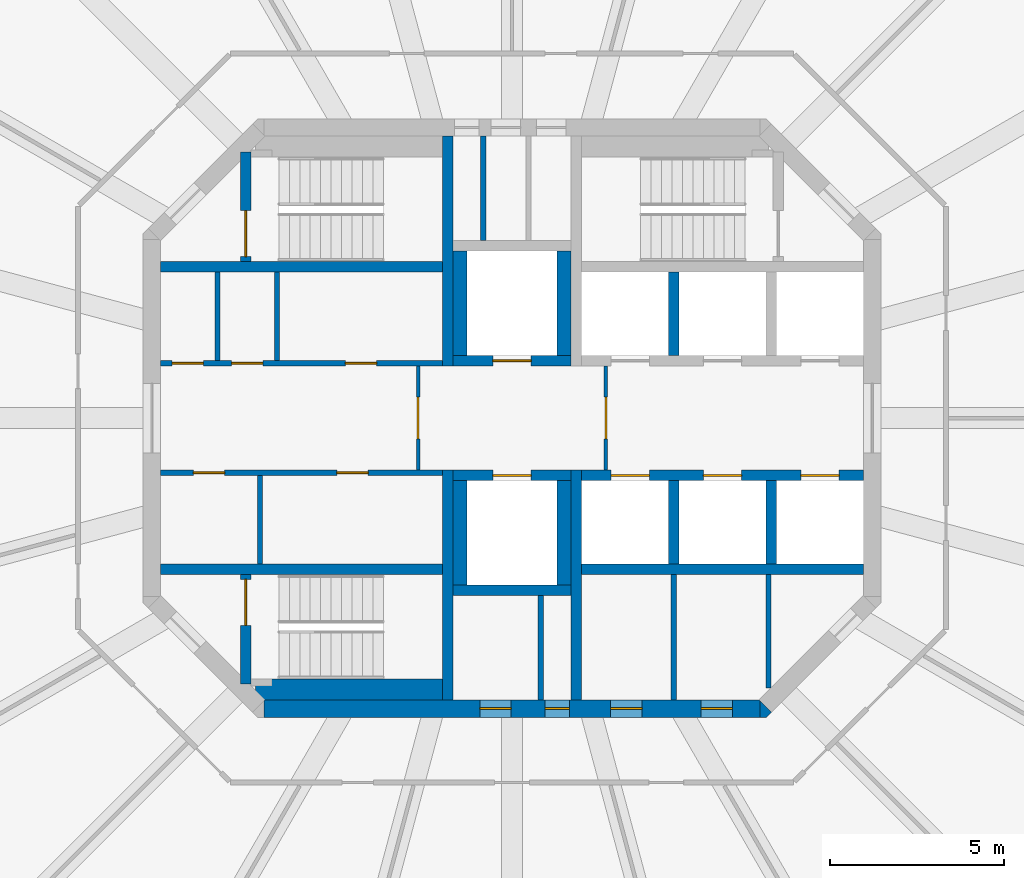
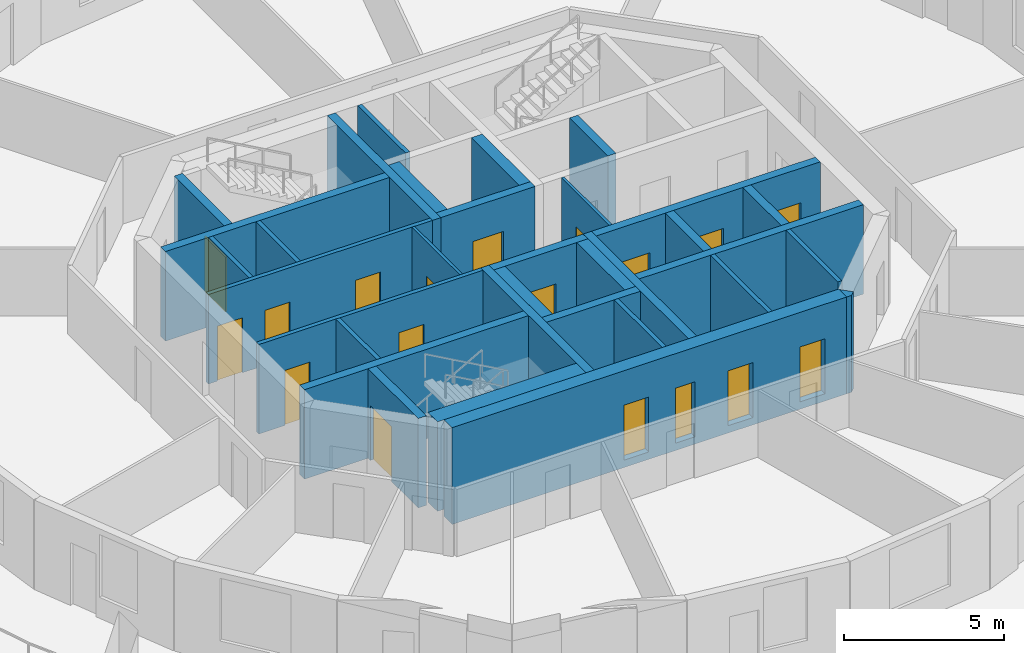
# One storey, part 3 of 8: 33 walls, 18 doors, 18 openings.
"""IFC4 building model written with IfcOpenShell, lengths in metres."""

import ifcopenshell
import ifcopenshell.guid

model = None  # the IFC model being written
_history = None  # IfcOwnerHistory: only IFC2X3 demands one
_inside = {}  # id of a spatial element -> (the spatial element, [elements in it])
_under = {}  # id of a project, library or spatial element -> (it, [spatial elements below it])
_declared = {}  # id of a project -> (the project, [libraries it declares])
_typed = {}  # id of a type object -> (the type object, [elements of that type])
_made_of = {}  # id of a material, layer set ... -> (it, [elements and type objects made of it])


def new_model(schema):
    """Start an empty IFC model of exactly this schema.

    Asked for "IFC4X3", IfcOpenShell would pick the latest addendum, in which some entities
    have other attributes; the version numbers below select the first issue.
    IFC2X3 requires an IfcOwnerHistory on every rooted entity: one is made here for all.
    """
    global model, _history
    if schema == "IFC4X3":
        model = ifcopenshell.file(schema_version=(4, 3, 0, 0))
    else:
        model = ifcopenshell.file(schema=schema)
    _inside.clear()
    _under.clear()
    _declared.clear()
    _typed.clear()
    _made_of.clear()
    _history = None
    if model.schema == "IFC2X3":
        org = make("IfcOrganization", Name="unknown")
        user = make(
            "IfcPersonAndOrganization",
            ThePerson=make("IfcPerson", FamilyName="unknown"),
            TheOrganization=org,
        )
        app = make(
            "IfcApplication",
            ApplicationDeveloper=org,
            Version="unknown",
            ApplicationFullName="unknown",
            ApplicationIdentifier="unknown",
        )
        _history = make(
            "IfcOwnerHistory",
            OwningUser=user,
            OwningApplication=app,
            ChangeAction="ADDED",
            CreationDate=0,
        )
    return model


def make(cls, **values):
    """One entity of the class cls with the attributes given. An attribute that is None is left unset."""
    return model.create_entity(
        cls, **{name: value for name, value in values.items() if value is not None}
    )


def rooted(cls, **values):
    """An entity with a GlobalId (a new one), such as an element, a storey or a relation."""
    return make(cls, GlobalId=ifcopenshell.guid.new(), OwnerHistory=_history, **values)


def si_unit(unit_type, name, prefix=None):
    """IfcSIUnit, for example si_unit("LENGTHUNIT", "METRE", prefix="MILLI")."""
    return make("IfcSIUnit", UnitType=unit_type, Prefix=prefix, Name=name)


def assignment(units):
    """IfcUnitAssignment: the units of a project."""
    return None if units is None else make("IfcUnitAssignment", Units=units)


def point(xyz):
    """IfcCartesianPoint."""
    return None if xyz is None else make("IfcCartesianPoint", Coordinates=xyz)


def direction(xyz):
    """IfcDirection."""
    return None if xyz is None else make("IfcDirection", DirectionRatios=xyz)


def frame(location, z_axis=None, x_axis=None):
    """IfcAxis2Placement3D, a coordinate frame: its origin and axes. An axis left out is left unset."""
    return make(
        "IfcAxis2Placement3D",
        Location=point(location),
        Axis=direction(z_axis),
        RefDirection=direction(x_axis),
    )


def frame_2d(location, x_axis=None):
    """IfcAxis2Placement2D, a coordinate frame in the plane: its origin and x axis."""
    return make(
        "IfcAxis2Placement2D", Location=point(location), RefDirection=direction(x_axis)
    )


def origin():
    """The frame at (0, 0, 0) with its axes left unset."""
    return frame((0.0, 0.0, 0.0))


def place(relative_to, where):
    """IfcLocalPlacement: puts the frame where relative to a parent placement (None: the world)."""
    return make(
        "IfcLocalPlacement", PlacementRelTo=relative_to, RelativePlacement=where
    )


def context(
    kind, dimensions, precision=None, world=None, true_north=None, identifier=None
):
    """IfcGeometricRepresentationContext, for example the 3D "Model" context."""
    return make(
        "IfcGeometricRepresentationContext",
        ContextIdentifier=identifier,
        ContextType=kind,
        CoordinateSpaceDimension=dimensions,
        Precision=precision,
        WorldCoordinateSystem=world,
        TrueNorth=true_north,
    )


def subcontext(parent, identifier, kind, view, scale=None):
    """IfcGeometricRepresentationSubContext, for example "Body" below "Model"."""
    return make(
        "IfcGeometricRepresentationSubContext",
        ContextIdentifier=identifier,
        ContextType=kind,
        ParentContext=parent,
        TargetScale=scale,
        TargetView=view,
    )


def project(units=None, contexts=None):
    """IfcProject with its units and contexts."""
    return rooted(
        "IfcProject",
        Name="project",
        RepresentationContexts=contexts,
        UnitsInContext=assignment(units),
    )


def spatial(cls, under=None, at=None, **own):
    """A site, building, storey or space (cls), placed at a placement, below another one or the project."""
    s = rooted(cls, ObjectPlacement=at, **own)
    if under is not None:
        _under.setdefault(under.id(), (under, []))[1].append(s)
    return s


def polyline(points):
    """IfcPolyline through the points."""
    return make("IfcPolyline", Points=[point(p) for p in points])


def profile(cls, at=None, kind="AREA", **sizes):
    """A parametric profile (cls). Its sizes go by their IFC names, for example OverallWidth=200.0."""
    return make(cls, ProfileType=kind, Position=at, **sizes)


def rectangle(**sizes):
    """IfcRectangleProfileDef."""
    return profile("IfcRectangleProfileDef", **sizes)


def outline(outer, holes=None, kind="AREA"):
    """IfcArbitraryClosedProfileDef: a profile drawn as a closed curve; with holes, ...WithVoids."""
    if holes is None:
        return make("IfcArbitraryClosedProfileDef", ProfileType=kind, OuterCurve=outer)
    return make(
        "IfcArbitraryProfileDefWithVoids",
        ProfileType=kind,
        OuterCurve=outer,
        InnerCurves=holes,
    )


def extrude(swept, where, along, depth):
    """IfcExtrudedAreaSolid: the profile swept, set in the frame where, extruded along a direction by depth."""
    return make(
        "IfcExtrudedAreaSolid",
        SweptArea=swept,
        Position=where,
        ExtrudedDirection=direction(along),
        Depth=depth,
    )


def shape(context_of_items, identifier, shape_type, items):
    """IfcShapeRepresentation: the items that make up one representation, for example the "Body"."""
    return make(
        "IfcShapeRepresentation",
        ContextOfItems=context_of_items,
        RepresentationIdentifier=identifier,
        RepresentationType=shape_type,
        Items=items,
    )


def material(Name=None, Category=None):
    """IfcMaterial."""
    return make("IfcMaterial", Name=Name, Category=Category)


def layer(
    of_material, thickness, ventilated=None, Name=None, Category=None, Priority=None
):
    """IfcMaterialLayer: one layer of a wall or slab, of a material (None: an air gap)."""
    return make(
        "IfcMaterialLayer",
        Material=of_material,
        LayerThickness=thickness,
        IsVentilated=ventilated,
        Name=Name,
        Category=Category,
        Priority=Priority,
    )


def layer_set(layers, Name=None):
    """IfcMaterialLayerSet."""
    return make("IfcMaterialLayerSet", MaterialLayers=layers, LayerSetName=Name)


def made_of(thing, what):
    """Note that an element or type object is made of a material, layer set ...; save() writes the relation."""
    if what is not None:
        _made_of.setdefault(what.id(), (what, []))[1].append(thing)
    return thing


def type_object(cls, material=None, **own):
    """A type object (cls), such as IfcWallType, which elements share."""
    return made_of(rooted(cls, **own), material)


def element(
    cls,
    number,
    at=None,
    inside=None,
    cuts=None,
    type_object=None,
    material=None,
    context=None,
    identifier="Body",
    shape_type=None,
    held_by="IfcProductDefinitionShape",
    body=None,
    shapes=None,
    **own,
):
    """One element of the class cls, such as IfcWall. Its Tag is "e" and its number.

    at: its placement. inside: the storey or other place that contains it. cuts: it is an
    opening in that element (IfcRelVoidsElement). A single representation is given by context,
    identifier, shape_type and body (its items); several are given by shapes. held_by: the class
    of the entity that holds the representations. save() writes the other relations.
    """
    e = rooted(cls, Tag="e%d" % number, ObjectPlacement=at, **own)
    if body is not None:
        shapes = [shape(context, identifier, shape_type, body)]
    if shapes is not None:
        e.Representation = make(held_by, Representations=shapes)
    if inside is not None:
        _inside.setdefault(inside.id(), (inside, []))[1].append(e)
    if cuts is not None:
        rooted(
            "IfcRelVoidsElement", RelatingBuildingElement=cuts, RelatedOpeningElement=e
        )
    if type_object is not None:
        _typed.setdefault(type_object.id(), (type_object, []))[1].append(e)
    return made_of(e, material)


def fill(opening, filler):
    """IfcRelFillsElement: the door or window that sits in an opening."""
    return rooted(
        "IfcRelFillsElement",
        RelatingOpeningElement=opening,
        RelatedBuildingElement=filler,
    )


def aggregate(whole, parts):
    """IfcRelAggregates: a whole, such as a stair, and the parts it consists of."""
    return rooted("IfcRelAggregates", RelatingObject=whole, RelatedObjects=parts)


def save(model, path):
    """Write the relations noted so far, then the file.

    IfcRelAggregates (storeys below a building ...), IfcRelContainedInSpatialStructure (elements
    in a storey), IfcRelDefinesByType, IfcRelAssociatesMaterial and IfcRelDeclares: one each for
    every whole, place, type object, material and project.
    """
    for whole, parts in _under.values():
        aggregate(whole, parts)
    for where, things in _inside.values():
        rooted(
            "IfcRelContainedInSpatialStructure",
            RelatedElements=things,
            RelatingStructure=where,
        )
    for kind, things in _typed.values():
        rooted("IfcRelDefinesByType", RelatedObjects=things, RelatingType=kind)
    for what, things in _made_of.values():
        rooted("IfcRelAssociatesMaterial", RelatedObjects=things, RelatingMaterial=what)
    for by, libraries in _declared.values():
        rooted("IfcRelDeclares", RelatingContext=by, RelatedDefinitions=libraries)
    model.write(path)


model = new_model("IFC4")

# Units and contexts
model_context = context("Model", 3, precision=1e-05, world=origin(), true_north=direction((0.0, 1.0)))
body_context = subcontext(model_context, "Body", "Model", "MODEL_VIEW")
ifc_project = project(units=[si_unit("LENGTHUNIT", "METRE"), si_unit("AREAUNIT", "SQUARE_METRE"), si_unit("VOLUMEUNIT", "CUBIC_METRE"), si_unit("PLANEANGLEUNIT", "RADIAN"), si_unit("MASSUNIT", "GRAM", prefix="KILO")], contexts=[model_context])

# Site, building, storey
site_placement = place(None, origin())
site = spatial("IfcSite", under=ifc_project, at=site_placement, CompositionType="ELEMENT")
building_placement = place(site_placement, origin())
building = spatial("IfcBuilding", under=site, at=building_placement, Name="Torre Triforio", CompositionType="ELEMENT")
storey_placement = place(building_placement, frame((0.0, 0.0, 253.800048828125)))
storey = spatial("IfcBuildingStorey", under=building, at=storey_placement, Name="L58", CompositionType="ELEMENT", Elevation=253.800048828125)

# Walls
ifc_material_1 = material(Name="Concrete C40", Category="concrete")
ifc_layer_1 = layer(ifc_material_1, 0.300048828125)
ifc_layer_set_1 = layer_set([ifc_layer_1], Name="Concrete C40")
wall_type_1 = type_object("IfcWallType", Name="Core wall 300 mm C40 EI 120", PredefinedType="SHEAR", material=ifc_layer_set_1)
for number, where, z_axis, x_axis, name in (
    (1, (-1.85009765625, 1.5, 0.0), (0.0, 0.0, 1.0), (0.0, 1.0, 0.0), "Core wall"),
    (2, (-1.85009765625, -8.10009765625, 0.0), (0.0, 0.0, 1.0), (0.0, 1.0, 0.0), "Core wall"),
    (3, (1.85009765625, -8.10009765625, 0.0), (0.0, 0.0, 1.0), (0.0, 1.0, 0.0), "Core wall"),
):
    element("IfcWall", number, at=place(storey_placement, frame(where, z_axis=z_axis, x_axis=x_axis)), inside=storey, type_object=wall_type_1, Name=name, PredefinedType="SHEAR", context=body_context, shape_type="SweptSolid", body=[
        extrude(rectangle(XDim=6.60009765625, YDim=0.300048828125, at=frame_2d((3.300048828125, 0.0))), origin(), (0.0, 0.0, 1.0), 3.419921875),
    ])

# Wall, openings, doors
ifc_layer_2 = layer(ifc_material_1, 0.5)
ifc_layer_set_2 = layer_set([ifc_layer_2], Name="Concrete C40")
wall_type_2 = type_object("IfcWallType", Name="Core wall 500 mm C40 EI 120", PredefinedType="SHEAR", material=ifc_layer_set_2)
wall_1_placement = place(storey_placement, frame((-7.1298828125, -8.35009765625, -0.280029296875), z_axis=(0.0, 0.0, 1.0), x_axis=(1.0, 0.0, 0.0)))
wall_1 = element("IfcWall", 4, at=wall_1_placement, inside=storey, type_object=wall_type_2, Name="Core wall", PredefinedType="SHEAR", context=body_context, shape_type="SweptSolid", body=[
    extrude(rectangle(XDim=14.259765625, YDim=0.5, at=frame_2d((7.1298828125, 0.0))), origin(), (0.0, 0.0, 1.0), 3.699951171875),
])
opening_1_placement = place(wall_1_placement, frame((8.080078125, 0.0, 0.280029296875)))
opening_1 = element("IfcOpeningElement", 5, at=opening_1_placement, cuts=wall_1, Name="Opening RISER-S", PredefinedType="OPENING", context=body_context, shape_type="SweptSolid", body=[
    extrude(rectangle(XDim=0.699951171875, YDim=2.10009765625, at=frame_2d((0.35009765625, 1.050048828125))), frame((0.0, 0.260009765625, 0.0), z_axis=(0.0, -1.0, 0.0), x_axis=(1.0, 0.0, 0.0)), (0.0, 0.0, 1.0), 0.52001953125),
])
opening_2_placement = place(wall_1_placement, frame((6.205078125, 0.0, 0.280029296875)))
opening_2 = element("IfcOpeningElement", 6, at=opening_2_placement, cuts=wall_1, Name="Opening SW-01B", PredefinedType="OPENING", context=body_context, shape_type="SweptSolid", body=[
    extrude(rectangle(XDim=0.89990234375, YDim=2.10009765625, at=frame_2d((0.449951171875, 1.050048828125))), frame((0.0, 0.260009765625, 0.0), z_axis=(0.0, -1.0, 0.0), x_axis=(1.0, 0.0, 0.0)), (0.0, 0.0, 1.0), 0.52001953125),
])
opening_3_placement = place(wall_1_placement, frame((9.967041015625, 0.0, 0.280029296875)))
opening_3 = element("IfcOpeningElement", 7, at=opening_3_placement, cuts=wall_1, Name="Opening SE-01A", PredefinedType="OPENING", context=body_context, shape_type="SweptSolid", body=[
    extrude(rectangle(XDim=0.89990234375, YDim=2.10009765625, at=frame_2d((0.449951171875, 1.050048828125))), frame((0.0, 0.260009765625, 0.0), z_axis=(0.0, -1.0, 0.0), x_axis=(1.0, 0.0, 0.0)), (0.0, 0.0, 1.0), 0.52001953125),
])
opening_4_placement = place(wall_1_placement, frame((12.56689453125, 0.0, 0.280029296875)))
opening_4 = element("IfcOpeningElement", 8, at=opening_4_placement, cuts=wall_1, Name="Opening SE-02", PredefinedType="OPENING", context=body_context, shape_type="SweptSolid", body=[
    extrude(rectangle(XDim=0.89990234375, YDim=2.10009765625, at=frame_2d((0.449951171875, 1.050048828125))), frame((0.0, 0.260009765625, 0.0), z_axis=(0.0, -1.0, 0.0), x_axis=(1.0, 0.0, 0.0)), (0.0, 0.0, 1.0), 0.52001953125),
])
ifc_material_2 = material(Name="Hollow metal fire door leaf")
door_type_1 = type_object("IfcDoorType", Name="Riser door 700 x 2100 EI 60", OperationType="NOTDEFINED", PredefinedType="DOOR", material=ifc_material_2)
door_1_placement = place(opening_1_placement, origin())
door_1 = element("IfcDoor", 9, at=door_1_placement, inside=storey, type_object=door_type_1, Name="Core door RISER-S", OperationType="SINGLE_SWING_RIGHT", OverallHeight=2.10009765625, OverallWidth=0.699951171875, PredefinedType="DOOR", context=body_context, shape_type="SweptSolid", body=[
    extrude(rectangle(XDim=0.699951171875, YDim=2.10009765625, at=frame_2d((0.35009765625, 1.050048828125))), frame((0.0, 0.02490234375, 0.0), z_axis=(0.0, -1.0, 0.0), x_axis=(1.0, 0.0, 0.0)), (0.0, 0.0, 1.0), 0.050048828125),
])
fill(opening_1, door_1)
door_type_2 = type_object("IfcDoorType", Name="Room door 900 x 2100 EI 60", OperationType="NOTDEFINED", PredefinedType="DOOR", material=ifc_material_2)
door_2_placement = place(opening_2_placement, origin())
door_2 = element("IfcDoor", 10, at=door_2_placement, inside=storey, type_object=door_type_2, Name="Core door SW-01", OperationType="SINGLE_SWING_LEFT", OverallHeight=2.10009765625, OverallWidth=0.89990234375, PredefinedType="DOOR", context=body_context, shape_type="SweptSolid", body=[
    extrude(rectangle(XDim=0.89990234375, YDim=2.10009765625, at=frame_2d((0.449951171875, 1.050048828125))), frame((0.0, 0.02490234375, 0.0), z_axis=(0.0, -1.0, 0.0), x_axis=(1.0, 0.0, 0.0)), (0.0, 0.0, 1.0), 0.050048828125),
])
fill(opening_2, door_2)
door_3_placement = place(opening_3_placement, origin())
door_3 = element("IfcDoor", 11, at=door_3_placement, inside=storey, type_object=door_type_2, Name="Core door SE-01", OperationType="SINGLE_SWING_LEFT", OverallHeight=2.10009765625, OverallWidth=0.89990234375, PredefinedType="DOOR", context=body_context, shape_type="SweptSolid", body=[
    extrude(rectangle(XDim=0.89990234375, YDim=2.10009765625, at=frame_2d((0.449951171875, 1.050048828125))), frame((0.0, 0.02490234375, 0.0), z_axis=(0.0, -1.0, 0.0), x_axis=(1.0, 0.0, 0.0)), (0.0, 0.0, 1.0), 0.050048828125),
])
fill(opening_3, door_3)
door_4_placement = place(opening_4_placement, origin())
door_4 = element("IfcDoor", 12, at=door_4_placement, inside=storey, type_object=door_type_2, Name="Core door SE-02", OperationType="SINGLE_SWING_LEFT", OverallHeight=2.10009765625, OverallWidth=0.89990234375, PredefinedType="DOOR", context=body_context, shape_type="SweptSolid", body=[
    extrude(rectangle(XDim=0.89990234375, YDim=2.10009765625, at=frame_2d((0.449951171875, 1.050048828125))), frame((0.0, 0.02490234375, 0.0), z_axis=(0.0, -1.0, 0.0), x_axis=(1.0, 0.0, 0.0)), (0.0, 0.0, 1.0), 0.050048828125),
])
fill(opening_4, door_4)

# Wall
wall_2_placement = place(storey_placement, frame((0.0, 0.0, -0.280029296875)))
element("IfcWall", 13, at=wall_2_placement, inside=storey, type_object=wall_type_2, Name="Core wall", PredefinedType="SHEAR", context=body_context, shape_type="SweptSolid", body=[
    extrude(outline(polyline([(7.30712890625, -8.60009765625), (7.1298828125, -8.60009765625), (7.1298828125, -8.1298828125), (7.45361328125, -8.45361328125), (7.30712890625, -8.60009765625)])), origin(), (0.0, 0.0, 1.0), 3.699951171875),
])

# Wall, opening, door
ifc_material_3 = material(Name="Block and board partition")
ifc_layer_3 = layer(ifc_material_3, 0.10009765625)
ifc_layer_set_3 = layer_set([ifc_layer_3], Name="Block and board partition")
wall_type_3 = type_object("IfcWallType", Name="Partition 100 mm EI 120", PredefinedType="PARTITIONING", material=ifc_layer_set_3)
wall_3_placement = place(storey_placement, frame((-2.699951171875, -1.5, 0.0), z_axis=(0.0, 0.0, 1.0), x_axis=(0.0, 1.0, 0.0)))
wall_3 = element("IfcWall", 14, at=wall_3_placement, inside=storey, type_object=wall_type_3, Name="Partition", PredefinedType="PARTITIONING", context=body_context, shape_type="SweptSolid", body=[
    extrude(rectangle(XDim=3.0, YDim=0.10009765625, at=frame_2d((1.5, 0.0))), origin(), (0.0, 0.0, 1.0), 3.419921875),
])
opening_5_placement = place(wall_3_placement, frame((0.89990234375, 0.0, 0.0)))
opening_5 = element("IfcOpeningElement", 15, at=opening_5_placement, cuts=wall_3, Name="Opening FF-W", PredefinedType="OPENING", context=body_context, shape_type="SweptSolid", body=[
    extrude(rectangle(XDim=1.199951171875, YDim=2.10009765625, at=frame_2d((0.60009765625, 1.050048828125))), frame((0.0, 0.06005859375, 0.0), z_axis=(0.0, -1.0, 0.0), x_axis=(1.0, 0.0, 0.0)), (0.0, 0.0, 1.0), 0.1201171875),
])
door_type_3 = type_object("IfcDoorType", Name="Fire-fighting lobby door 1200 x 2100 EI 60", OperationType="NOTDEFINED", PredefinedType="DOOR", material=ifc_material_2)
door_5_placement = place(opening_5_placement, origin())
door_5 = element("IfcDoor", 16, at=door_5_placement, inside=storey, type_object=door_type_3, Name="Core door FF-W", OperationType="SINGLE_SWING_LEFT", OverallHeight=2.10009765625, OverallWidth=1.199951171875, PredefinedType="DOOR", context=body_context, shape_type="SweptSolid", body=[
    extrude(rectangle(XDim=1.199951171875, YDim=2.10009765625, at=frame_2d((0.60009765625, 1.050048828125))), frame((0.0, 0.02490234375, 0.0), z_axis=(0.0, -1.0, 0.0), x_axis=(1.0, 0.0, 0.0)), (0.0, 0.0, 1.0), 0.050048828125),
])
fill(opening_5, door_5)

wall_4_placement = place(storey_placement, frame((2.699951171875, -1.5, 0.0), z_axis=(0.0, 0.0, 1.0), x_axis=(0.0, 1.0, 0.0)))
wall_4 = element("IfcWall", 17, at=wall_4_placement, inside=storey, type_object=wall_type_3, Name="Partition", PredefinedType="PARTITIONING", context=body_context, shape_type="SweptSolid", body=[
    extrude(rectangle(XDim=3.0, YDim=0.10009765625, at=frame_2d((1.5, 0.0))), origin(), (0.0, 0.0, 1.0), 3.419921875),
])
opening_6_placement = place(wall_4_placement, frame((0.89990234375, 0.0, 0.0)))
opening_6 = element("IfcOpeningElement", 18, at=opening_6_placement, cuts=wall_4, Name="Opening FF-E", PredefinedType="OPENING", context=body_context, shape_type="SweptSolid", body=[
    extrude(rectangle(XDim=1.199951171875, YDim=2.10009765625, at=frame_2d((0.60009765625, 1.050048828125))), frame((0.0, 0.06005859375, 0.0), z_axis=(0.0, -1.0, 0.0), x_axis=(1.0, 0.0, 0.0)), (0.0, 0.0, 1.0), 0.1201171875),
])
door_6_placement = place(opening_6_placement, origin())
door_6 = element("IfcDoor", 19, at=door_6_placement, inside=storey, type_object=door_type_3, Name="Core door FF-E", OperationType="SINGLE_SWING_LEFT", OverallHeight=2.10009765625, OverallWidth=1.199951171875, PredefinedType="DOOR", context=body_context, shape_type="SweptSolid", body=[
    extrude(rectangle(XDim=1.199951171875, YDim=2.10009765625, at=frame_2d((0.60009765625, 1.050048828125))), frame((0.0, 0.02490234375, 0.0), z_axis=(0.0, -1.0, 0.0), x_axis=(1.0, 0.0, 0.0)), (0.0, 0.0, 1.0), 0.050048828125),
])
fill(opening_6, door_6)

# Walls
ifc_layer_4 = layer(ifc_material_3, 0.14990234375)
ifc_layer_set_4 = layer_set([ifc_layer_4], Name="Block and board partition")
wall_type_4 = type_object("IfcWallType", Name="Partition 150 mm", PredefinedType="PARTITIONING", material=ifc_layer_set_4)
wall_5_placement = place(storey_placement, frame((4.64892578125, -8.10009765625, 0.0), z_axis=(0.0, 0.0, 1.0), x_axis=(0.0, 1.0, 0.0)))
element("IfcWall", 20, at=wall_5_placement, inside=storey, type_object=wall_type_4, Name="Partition", PredefinedType="PARTITIONING", context=body_context, shape_type="SweptSolid", body=[
    extrude(rectangle(XDim=3.60009765625, YDim=0.14990234375, at=frame_2d((1.800048828125, 0.0))), origin(), (0.0, 0.0, 1.0), 3.419921875),
])
wall_6_placement = place(storey_placement, frame((7.373046875, -7.751953125, 0.0), z_axis=(0.0, 0.0, 1.0), x_axis=(0.0, 1.0, 0.0)))
element("IfcWall", 21, at=wall_6_placement, inside=storey, type_object=wall_type_4, Name="Partition", PredefinedType="PARTITIONING", context=body_context, shape_type="SweptSolid", body=[
    extrude(rectangle(XDim=3.251953125, YDim=0.14990234375, at=frame_2d((1.6259765625, 0.0))), origin(), (0.0, 0.0, 1.0), 3.419921875),
])
for number, where, z_axis, x_axis, name in (
    (22, (-8.465087890625, 1.64990234375, 0.0), (0.0, 0.0, 1.0), (0.0, 1.0, 0.0), "Partition"),
    (23, (-6.7548828125, 1.64990234375, 0.0), (0.0, 0.0, 1.0), (0.0, 1.0, 0.0), "Partition"),
    (24, (-7.242431640625, -4.199951171875, 0.0), (0.0, 0.0, 1.0), (0.0, 1.0, 0.0), "Partition"),
):
    element("IfcWall", number, at=place(storey_placement, frame(where, z_axis=z_axis, x_axis=x_axis)), inside=storey, type_object=wall_type_4, Name=name, PredefinedType="PARTITIONING", context=body_context, shape_type="SweptSolid", body=[
        extrude(rectangle(XDim=2.550048828125, YDim=0.14990234375, at=frame_2d((1.27490234375, 0.0))), origin(), (0.0, 0.0, 1.0), 3.419921875),
    ])
ifc_layer_5 = layer(ifc_material_3, 0.14990234375)
ifc_layer_set_5 = layer_set([ifc_layer_5], Name="Block and board partition")
wall_type_5 = type_object("IfcWallType", Name="Partition 150 mm EI 120", PredefinedType="PARTITIONING", material=ifc_layer_set_5)
for number, where, z_axis, x_axis, name in (
    (25, (-0.824951171875, 5.10009765625, 0.0), (0.0, 0.0, 1.0), (0.0, 1.0, 0.0), "Partition"),
    (26, (0.824951171875, -8.10009765625, 0.0), (0.0, 0.0, 1.0), (0.0, 1.0, 0.0), "Partition"),
):
    element("IfcWall", number, at=place(storey_placement, frame(where, z_axis=z_axis, x_axis=x_axis)), inside=storey, type_object=wall_type_5, Name=name, PredefinedType="PARTITIONING", context=body_context, shape_type="SweptSolid", body=[
        extrude(rectangle(XDim=3.0, YDim=0.14990234375, at=frame_2d((1.5, 0.0))), origin(), (0.0, 0.0, 1.0), 3.419921875),
    ])

# Wall, openings, doors
wall_7_placement = place(storey_placement, frame((-10.10009765625, 1.574951171875, 0.0), z_axis=(0.0, 0.0, 1.0), x_axis=(1.0, 0.0, 0.0)))
wall_7 = element("IfcWall", 27, at=wall_7_placement, inside=storey, type_object=wall_type_5, Name="Partition", PredefinedType="PARTITIONING", context=body_context, shape_type="SweptSolid", body=[
    extrude(rectangle(XDim=8.10009765625, YDim=0.14990234375, at=frame_2d((4.050048828125, 0.0))), origin(), (0.0, 0.0, 1.0), 3.419921875),
])
opening_7_placement = place(wall_7_placement, frame((0.330078125, 0.0, 0.0)))
opening_7 = element("IfcOpeningElement", 28, at=opening_7_placement, cuts=wall_7, Name="Opening FN-01", PredefinedType="OPENING", context=body_context, shape_type="SweptSolid", body=[
    extrude(rectangle(XDim=0.89990234375, YDim=2.10009765625, at=frame_2d((0.449951171875, 1.050048828125))), frame((0.0, 0.0849609375, 0.0), z_axis=(0.0, -1.0, 0.0), x_axis=(1.0, 0.0, 0.0)), (0.0, 0.0, 1.0), 0.169921875),
])
opening_8_placement = place(wall_7_placement, frame((2.0400390625, 0.0, 0.0)))
opening_8 = element("IfcOpeningElement", 29, at=opening_8_placement, cuts=wall_7, Name="Opening FN-02", PredefinedType="OPENING", context=body_context, shape_type="SweptSolid", body=[
    extrude(rectangle(XDim=0.89990234375, YDim=2.10009765625, at=frame_2d((0.449951171875, 1.050048828125))), frame((0.0, 0.0849609375, 0.0), z_axis=(0.0, -1.0, 0.0), x_axis=(1.0, 0.0, 0.0)), (0.0, 0.0, 1.0), 0.169921875),
])
opening_9_placement = place(wall_7_placement, frame((5.31005859375, 0.0, 0.0)))
opening_9 = element("IfcOpeningElement", 30, at=opening_9_placement, cuts=wall_7, Name="Opening FN-03", PredefinedType="OPENING", context=body_context, shape_type="SweptSolid", body=[
    extrude(rectangle(XDim=0.89990234375, YDim=2.10009765625, at=frame_2d((0.449951171875, 1.050048828125))), frame((0.0, 0.0849609375, 0.0), z_axis=(0.0, -1.0, 0.0), x_axis=(1.0, 0.0, 0.0)), (0.0, 0.0, 1.0), 0.169921875),
])
door_7_placement = place(opening_7_placement, origin())
door_7 = element("IfcDoor", 31, at=door_7_placement, inside=storey, type_object=door_type_2, Name="Core door FN-01", OperationType="SINGLE_SWING_RIGHT", OverallHeight=2.10009765625, OverallWidth=0.89990234375, PredefinedType="DOOR", context=body_context, shape_type="SweptSolid", body=[
    extrude(rectangle(XDim=0.89990234375, YDim=2.10009765625, at=frame_2d((0.449951171875, 1.050048828125))), frame((0.0, 0.02490234375, 0.0), z_axis=(0.0, -1.0, 0.0), x_axis=(1.0, 0.0, 0.0)), (0.0, 0.0, 1.0), 0.050048828125),
])
fill(opening_7, door_7)
door_8_placement = place(opening_8_placement, origin())
door_8 = element("IfcDoor", 32, at=door_8_placement, inside=storey, type_object=door_type_2, Name="Core door FN-02", OperationType="SINGLE_SWING_RIGHT", OverallHeight=2.10009765625, OverallWidth=0.89990234375, PredefinedType="DOOR", context=body_context, shape_type="SweptSolid", body=[
    extrude(rectangle(XDim=0.89990234375, YDim=2.10009765625, at=frame_2d((0.449951171875, 1.050048828125))), frame((0.0, 0.02490234375, 0.0), z_axis=(0.0, -1.0, 0.0), x_axis=(1.0, 0.0, 0.0)), (0.0, 0.0, 1.0), 0.050048828125),
])
fill(opening_8, door_8)
door_9_placement = place(opening_9_placement, origin())
door_9 = element("IfcDoor", 33, at=door_9_placement, inside=storey, type_object=door_type_2, Name="Core door FN-03", OperationType="SINGLE_SWING_RIGHT", OverallHeight=2.10009765625, OverallWidth=0.89990234375, PredefinedType="DOOR", context=body_context, shape_type="SweptSolid", body=[
    extrude(rectangle(XDim=0.89990234375, YDim=2.10009765625, at=frame_2d((0.449951171875, 1.050048828125))), frame((0.0, 0.02490234375, 0.0), z_axis=(0.0, -1.0, 0.0), x_axis=(1.0, 0.0, 0.0)), (0.0, 0.0, 1.0), 0.050048828125),
])
fill(opening_9, door_9)

wall_8_placement = place(storey_placement, frame((-10.10009765625, -1.574951171875, 0.0), z_axis=(0.0, 0.0, 1.0), x_axis=(1.0, 0.0, 0.0)))
wall_8 = element("IfcWall", 34, at=wall_8_placement, inside=storey, type_object=wall_type_5, Name="Partition", PredefinedType="PARTITIONING", context=body_context, shape_type="SweptSolid", body=[
    extrude(rectangle(XDim=8.10009765625, YDim=0.14990234375, at=frame_2d((4.050048828125, 0.0))), origin(), (0.0, 0.0, 1.0), 3.419921875),
])
opening_10_placement = place(wall_8_placement, frame((0.941162109375, 0.0, 0.0)))
opening_10 = element("IfcOpeningElement", 35, at=opening_10_placement, cuts=wall_8, Name="Opening FS-01", PredefinedType="OPENING", context=body_context, shape_type="SweptSolid", body=[
    extrude(rectangle(XDim=0.89990234375, YDim=2.10009765625, at=frame_2d((0.449951171875, 1.050048828125))), frame((0.0, 0.0849609375, 0.0), z_axis=(0.0, -1.0, 0.0), x_axis=(1.0, 0.0, 0.0)), (0.0, 0.0, 1.0), 0.169921875),
])
opening_11_placement = place(wall_8_placement, frame((5.066162109375, 0.0, 0.0)))
opening_11 = element("IfcOpeningElement", 36, at=opening_11_placement, cuts=wall_8, Name="Opening FS-02", PredefinedType="OPENING", context=body_context, shape_type="SweptSolid", body=[
    extrude(rectangle(XDim=0.89990234375, YDim=2.10009765625, at=frame_2d((0.449951171875, 1.050048828125))), frame((0.0, 0.0849609375, 0.0), z_axis=(0.0, -1.0, 0.0), x_axis=(1.0, 0.0, 0.0)), (0.0, 0.0, 1.0), 0.169921875),
])
door_10_placement = place(opening_10_placement, origin())
door_10 = element("IfcDoor", 37, at=door_10_placement, inside=storey, type_object=door_type_2, Name="Core door FS-01", OperationType="SINGLE_SWING_LEFT", OverallHeight=2.10009765625, OverallWidth=0.89990234375, PredefinedType="DOOR", context=body_context, shape_type="SweptSolid", body=[
    extrude(rectangle(XDim=0.89990234375, YDim=2.10009765625, at=frame_2d((0.449951171875, 1.050048828125))), frame((0.0, 0.02490234375, 0.0), z_axis=(0.0, -1.0, 0.0), x_axis=(1.0, 0.0, 0.0)), (0.0, 0.0, 1.0), 0.050048828125),
])
fill(opening_10, door_10)
door_11_placement = place(opening_11_placement, origin())
door_11 = element("IfcDoor", 38, at=door_11_placement, inside=storey, type_object=door_type_2, Name="Core door FS-02", OperationType="SINGLE_SWING_LEFT", OverallHeight=2.10009765625, OverallWidth=0.89990234375, PredefinedType="DOOR", context=body_context, shape_type="SweptSolid", body=[
    extrude(rectangle(XDim=0.89990234375, YDim=2.10009765625, at=frame_2d((0.449951171875, 1.050048828125))), frame((0.0, 0.02490234375, 0.0), z_axis=(0.0, -1.0, 0.0), x_axis=(1.0, 0.0, 0.0)), (0.0, 0.0, 1.0), 0.050048828125),
])
fill(opening_11, door_11)

# Walls
ifc_layer_6 = layer(ifc_material_1, 0.300048828125)
ifc_layer_set_6 = layer_set([ifc_layer_6], Name="Concrete C40")
wall_type_6 = type_object("IfcWallType", Name="Shaft wall 300 mm C40 EI 120", PredefinedType="SOLIDWALL", material=ifc_layer_set_6)
for number, where, z_axis, x_axis, name in (
    (39, (-10.10009765625, 4.35009765625, 0.0), (0.0, 0.0, 1.0), (1.0, 0.0, 0.0), "Shaft wall"),
    (40, (-10.10009765625, -4.35009765625, 0.0), (0.0, 0.0, 1.0), (1.0, 0.0, 0.0), "Shaft wall"),
    (41, (2.0, -4.35009765625, 0.0), (0.0, 0.0, 1.0), (1.0, 0.0, 0.0), "Shaft wall"),
):
    element("IfcWall", number, at=place(storey_placement, frame(where, z_axis=z_axis, x_axis=x_axis)), inside=storey, type_object=wall_type_6, Name=name, PredefinedType="SOLIDWALL", context=body_context, shape_type="SweptSolid", body=[
        extrude(rectangle(XDim=8.10009765625, YDim=0.300048828125, at=frame_2d((4.050048828125, 0.0))), origin(), (0.0, 0.0, 1.0), 3.419921875),
    ])

# Wall, openings, doors
wall_9_placement = place(storey_placement, frame((2.0, -1.64990234375, 0.0), z_axis=(0.0, 0.0, 1.0), x_axis=(1.0, 0.0, 0.0)))
wall_9 = element("IfcWall", 42, at=wall_9_placement, inside=storey, type_object=wall_type_6, Name="Shaft wall", PredefinedType="SOLIDWALL", context=body_context, shape_type="SweptSolid", body=[
    extrude(rectangle(XDim=8.10009765625, YDim=0.300048828125, at=frame_2d((4.050048828125, 0.0))), origin(), (0.0, 0.0, 1.0), 3.419921875),
])
opening_12_placement = place(wall_9_placement, frame((0.85009765625, 0.0, 0.0)))
opening_12 = element("IfcOpeningElement", 43, at=opening_12_placement, cuts=wall_9, Name="Opening LD", PredefinedType="OPENING", context=body_context, shape_type="SweptSolid", body=[
    extrude(rectangle(XDim=1.10009765625, YDim=2.10009765625, at=frame_2d((0.550048828125, 1.050048828125))), frame((0.0, 0.159912109375, 0.0), z_axis=(0.0, -1.0, 0.0), x_axis=(1.0, 0.0, 0.0)), (0.0, 0.0, 1.0), 0.320068359375),
])
opening_13_placement = place(wall_9_placement, frame((3.5, 0.0, 0.0)))
opening_13 = element("IfcOpeningElement", 44, at=opening_13_placement, cuts=wall_9, Name="Opening LD", PredefinedType="OPENING", context=body_context, shape_type="SweptSolid", body=[
    extrude(rectangle(XDim=1.10009765625, YDim=2.10009765625, at=frame_2d((0.550048828125, 1.050048828125))), frame((0.0, 0.159912109375, 0.0), z_axis=(0.0, -1.0, 0.0), x_axis=(1.0, 0.0, 0.0)), (0.0, 0.0, 1.0), 0.320068359375),
])
opening_14_placement = place(wall_9_placement, frame((6.300048828125, 0.0, 0.0)))
opening_14 = element("IfcOpeningElement", 45, at=opening_14_placement, cuts=wall_9, Name="Opening LD", PredefinedType="OPENING", context=body_context, shape_type="SweptSolid", body=[
    extrude(rectangle(XDim=1.10009765625, YDim=2.10009765625, at=frame_2d((0.550048828125, 1.050048828125))), frame((0.0, 0.159912109375, 0.0), z_axis=(0.0, -1.0, 0.0), x_axis=(1.0, 0.0, 0.0)), (0.0, 0.0, 1.0), 0.320068359375),
])
door_type_4 = type_object("IfcDoorType", Name="Landing door 1100 x 2100 EI 60", OperationType="DOUBLE_DOOR_SLIDING", PredefinedType="DOOR", material=ifc_material_2)
door_12_placement = place(opening_12_placement, origin())
door_12 = element("IfcDoor", 46, at=door_12_placement, inside=storey, type_object=door_type_4, Name="Landing door HR4", OperationType="DOUBLE_DOOR_SLIDING", OverallHeight=2.10009765625, OverallWidth=1.10009765625, PredefinedType="DOOR", context=body_context, shape_type="SweptSolid", body=[
    extrude(rectangle(XDim=1.10009765625, YDim=2.10009765625, at=frame_2d((0.550048828125, 1.050048828125))), frame((0.0, 0.02490234375, 0.0), z_axis=(0.0, -1.0, 0.0), x_axis=(1.0, 0.0, 0.0)), (0.0, 0.0, 1.0), 0.050048828125),
])
fill(opening_12, door_12)
door_13_placement = place(opening_13_placement, origin())
door_13 = element("IfcDoor", 47, at=door_13_placement, inside=storey, type_object=door_type_4, Name="Landing door HR5", OperationType="DOUBLE_DOOR_SLIDING", OverallHeight=2.10009765625, OverallWidth=1.10009765625, PredefinedType="DOOR", context=body_context, shape_type="SweptSolid", body=[
    extrude(rectangle(XDim=1.10009765625, YDim=2.10009765625, at=frame_2d((0.550048828125, 1.050048828125))), frame((0.0, 0.02490234375, 0.0), z_axis=(0.0, -1.0, 0.0), x_axis=(1.0, 0.0, 0.0)), (0.0, 0.0, 1.0), 0.050048828125),
])
fill(opening_13, door_13)
door_14_placement = place(opening_14_placement, origin())
door_14 = element("IfcDoor", 48, at=door_14_placement, inside=storey, type_object=door_type_4, Name="Landing door HR6", OperationType="DOUBLE_DOOR_SLIDING", OverallHeight=2.10009765625, OverallWidth=1.10009765625, PredefinedType="DOOR", context=body_context, shape_type="SweptSolid", body=[
    extrude(rectangle(XDim=1.10009765625, YDim=2.10009765625, at=frame_2d((0.550048828125, 1.050048828125))), frame((0.0, 0.02490234375, 0.0), z_axis=(0.0, -1.0, 0.0), x_axis=(1.0, 0.0, 0.0)), (0.0, 0.0, 1.0), 0.050048828125),
])
fill(opening_14, door_14)

# Walls
for number, where, z_axis, x_axis, name in (
    (49, (4.64990234375, 1.800048828125, 0.0), (0.0, 0.0, 1.0), (0.0, 1.0, 0.0), "Shaft wall"),
    (50, (4.64990234375, -4.199951171875, 0.0), (0.0, 0.0, 1.0), (0.0, 1.0, 0.0), "Shaft wall"),
    (51, (7.449951171875, -4.199951171875, 0.0), (0.0, 0.0, 1.0), (0.0, 1.0, 0.0), "Shaft wall"),
):
    element("IfcWall", number, at=place(storey_placement, frame(where, z_axis=z_axis, x_axis=x_axis)), inside=storey, type_object=wall_type_6, Name=name, PredefinedType="SOLIDWALL", context=body_context, shape_type="SweptSolid", body=[
        extrude(rectangle(XDim=2.39990234375, YDim=0.300048828125, at=frame_2d((1.199951171875, 0.0))), origin(), (0.0, 0.0, 1.0), 3.419921875),
    ])

# Wall, opening, door
wall_10_placement = place(storey_placement, frame((-1.699951171875, 1.64990234375, 0.0), z_axis=(0.0, 0.0, 1.0), x_axis=(1.0, 0.0, 0.0)))
wall_10 = element("IfcWall", 52, at=wall_10_placement, inside=storey, type_object=wall_type_6, Name="Shaft wall", PredefinedType="SOLIDWALL", context=body_context, shape_type="SweptSolid", body=[
    extrude(rectangle(XDim=3.39990234375, YDim=0.300048828125, at=frame_2d((1.699951171875, 0.0))), origin(), (0.0, 0.0, 1.0), 3.419921875),
])
opening_15_placement = place(wall_10_placement, frame((1.14990234375, 0.0, 0.0)))
opening_15 = element("IfcOpeningElement", 53, at=opening_15_placement, cuts=wall_10, Name="Opening LD", PredefinedType="OPENING", context=body_context, shape_type="SweptSolid", body=[
    extrude(rectangle(XDim=1.10009765625, YDim=2.10009765625, at=frame_2d((0.550048828125, 1.050048828125))), frame((0.0, 0.159912109375, 0.0), z_axis=(0.0, -1.0, 0.0), x_axis=(1.0, 0.0, 0.0)), (0.0, 0.0, 1.0), 0.320068359375),
])
door_15_placement = place(opening_15_placement, origin())
door_15 = element("IfcDoor", 54, at=door_15_placement, inside=storey, type_object=door_type_4, Name="Landing door FFL1", OperationType="DOUBLE_DOOR_SLIDING", OverallHeight=2.10009765625, OverallWidth=1.10009765625, PredefinedType="DOOR", context=body_context, shape_type="SweptSolid", body=[
    extrude(rectangle(XDim=1.10009765625, YDim=2.10009765625, at=frame_2d((0.550048828125, 1.050048828125))), frame((0.0, 0.02490234375, 0.0), z_axis=(0.0, -1.0, 0.0), x_axis=(1.0, 0.0, 0.0)), (0.0, 0.0, 1.0), 0.050048828125),
])
fill(opening_15, door_15)

wall_11_placement = place(storey_placement, frame((-1.699951171875, -1.64990234375, 0.0), z_axis=(0.0, 0.0, 1.0), x_axis=(1.0, 0.0, 0.0)))
wall_11 = element("IfcWall", 55, at=wall_11_placement, inside=storey, type_object=wall_type_6, Name="Shaft wall", PredefinedType="SOLIDWALL", context=body_context, shape_type="SweptSolid", body=[
    extrude(rectangle(XDim=3.39990234375, YDim=0.300048828125, at=frame_2d((1.699951171875, 0.0))), origin(), (0.0, 0.0, 1.0), 3.419921875),
])
opening_16_placement = place(wall_11_placement, frame((1.14990234375, 0.0, 0.0)))
opening_16 = element("IfcOpeningElement", 56, at=opening_16_placement, cuts=wall_11, Name="Opening LD", PredefinedType="OPENING", context=body_context, shape_type="SweptSolid", body=[
    extrude(rectangle(XDim=1.10009765625, YDim=2.10009765625, at=frame_2d((0.550048828125, 1.050048828125))), frame((0.0, 0.159912109375, 0.0), z_axis=(0.0, -1.0, 0.0), x_axis=(1.0, 0.0, 0.0)), (0.0, 0.0, 1.0), 0.320068359375),
])
door_16_placement = place(opening_16_placement, origin())
door_16 = element("IfcDoor", 57, at=door_16_placement, inside=storey, type_object=door_type_4, Name="Landing door FFL2", OperationType="DOUBLE_DOOR_SLIDING", OverallHeight=2.10009765625, OverallWidth=1.10009765625, PredefinedType="DOOR", context=body_context, shape_type="SweptSolid", body=[
    extrude(rectangle(XDim=1.10009765625, YDim=2.10009765625, at=frame_2d((0.550048828125, 1.050048828125))), frame((0.0, 0.02490234375, 0.0), z_axis=(0.0, -1.0, 0.0), x_axis=(1.0, 0.0, 0.0)), (0.0, 0.0, 1.0), 0.050048828125),
])
fill(opening_16, door_16)

# Walls
wall_12_placement = place(storey_placement, frame((-1.699951171875, -4.949951171875, 0.0), z_axis=(0.0, 0.0, 1.0), x_axis=(1.0, 0.0, 0.0)))
element("IfcWall", 58, at=wall_12_placement, inside=storey, type_object=wall_type_6, Name="Shaft wall", PredefinedType="SOLIDWALL", context=body_context, shape_type="SweptSolid", body=[
    extrude(rectangle(XDim=3.39990234375, YDim=0.300048828125, at=frame_2d((1.699951171875, 0.0))), origin(), (0.0, 0.0, 1.0), 3.419921875),
])
ifc_layer_7 = layer(ifc_material_1, 0.39990234375)
ifc_layer_set_7 = layer_set([ifc_layer_7], Name="Concrete C40")
wall_type_7 = type_object("IfcWallType", Name="Shaft wall 400 mm C40 EI 120", PredefinedType="SOLIDWALL", material=ifc_layer_set_7)
for number, where, z_axis, x_axis, name in (
    (59, (-1.5, 1.800048828125, 0.0), (0.0, 0.0, 1.0), (0.0, 1.0, 0.0), "Shaft wall"),
    (60, (-1.5, -4.800048828125, 0.0), (0.0, 0.0, 1.0), (0.0, 1.0, 0.0), "Shaft wall"),
    (61, (1.5, 1.800048828125, 0.0), (0.0, 0.0, 1.0), (0.0, 1.0, 0.0), "Shaft wall"),
    (62, (1.5, -4.800048828125, 0.0), (0.0, 0.0, 1.0), (0.0, 1.0, 0.0), "Shaft wall"),
):
    element("IfcWall", number, at=place(storey_placement, frame(where, z_axis=z_axis, x_axis=x_axis)), inside=storey, type_object=wall_type_7, Name=name, PredefinedType="SOLIDWALL", context=body_context, shape_type="SweptSolid", body=[
        extrude(rectangle(XDim=3.0, YDim=0.39990234375, at=frame_2d((1.5, 0.0))), origin(), (0.0, 0.0, 1.0), 3.419921875),
    ])

# Wall, opening, door
ifc_layer_8 = layer(ifc_material_1, 0.300048828125)
ifc_layer_set_8 = layer_set([ifc_layer_8], Name="Concrete C40")
wall_type_8 = type_object("IfcWallType", Name="Stair wall 300 mm C40 EI 120", PredefinedType="SHEAR", material=ifc_layer_set_8)
wall_13_placement = place(storey_placement, frame((-7.64990234375, 4.5, 0.0), z_axis=(0.0, 0.0, 1.0), x_axis=(0.0, 1.0, 0.0)))
wall_13 = element("IfcWall", 63, at=wall_13_placement, inside=storey, type_object=wall_type_8, Name="Stair wall", PredefinedType="SHEAR", context=body_context, shape_type="SweptSolid", body=[
    extrude(rectangle(XDim=3.139892578125, YDim=0.300048828125, at=frame_2d((1.56982421875, 0.0))), origin(), (0.0, 0.0, 1.0), 3.419921875),
])
opening_17_placement = place(wall_13_placement, frame((0.139892578125, 0.0, 0.0)))
opening_17 = element("IfcOpeningElement", 64, at=opening_17_placement, cuts=wall_13, Name="Opening ST1-STA", PredefinedType="OPENING", context=body_context, shape_type="SweptSolid", body=[
    extrude(rectangle(XDim=1.320068359375, YDim=2.10009765625, at=frame_2d((0.66015625, 1.050048828125))), frame((0.0, 0.159912109375, 0.0), z_axis=(0.0, -1.0, 0.0), x_axis=(1.0, 0.0, 0.0)), (0.0, 0.0, 1.0), 0.320068359375),
])
door_type_5 = type_object("IfcDoorType", Name="Stair door 1320 x 2100 EI 90", OperationType="DOUBLE_DOOR_SINGLE_SWING", PredefinedType="DOOR", material=ifc_material_2)
door_17_placement = place(opening_17_placement, origin())
door_17 = element("IfcDoor", 65, at=door_17_placement, inside=storey, type_object=door_type_5, Name="Core door ST1-ST", OperationType="DOUBLE_DOOR_SINGLE_SWING", OverallHeight=2.10009765625, OverallWidth=1.320068359375, PredefinedType="DOOR", context=body_context, shape_type="SweptSolid", body=[
    extrude(rectangle(XDim=1.320068359375, YDim=2.10009765625, at=frame_2d((0.66015625, 1.050048828125))), frame((0.0, 0.02490234375, 0.0), z_axis=(0.0, -1.0, 0.0), x_axis=(1.0, 0.0, 0.0)), (0.0, 0.0, 1.0), 0.050048828125),
])
fill(opening_17, door_17)

wall_14_placement = place(storey_placement, frame((-7.64990234375, -7.639892578125, 0.0), z_axis=(0.0, 0.0, 1.0), x_axis=(0.0, 1.0, 0.0)))
wall_14 = element("IfcWall", 66, at=wall_14_placement, inside=storey, type_object=wall_type_8, Name="Stair wall", PredefinedType="SHEAR", context=body_context, shape_type="SweptSolid", body=[
    extrude(rectangle(XDim=3.139892578125, YDim=0.300048828125, at=frame_2d((1.56982421875, 0.0))), origin(), (0.0, 0.0, 1.0), 3.419921875),
])
opening_18_placement = place(wall_14_placement, frame((1.679931640625, 0.0, 0.0)))
opening_18 = element("IfcOpeningElement", 67, at=opening_18_placement, cuts=wall_14, Name="Opening ST3-STA", PredefinedType="OPENING", context=body_context, shape_type="SweptSolid", body=[
    extrude(rectangle(XDim=1.320068359375, YDim=2.10009765625, at=frame_2d((0.66015625, 1.050048828125))), frame((0.0, 0.159912109375, 0.0), z_axis=(0.0, -1.0, 0.0), x_axis=(1.0, 0.0, 0.0)), (0.0, 0.0, 1.0), 0.320068359375),
])
door_18_placement = place(opening_18_placement, origin())
door_18 = element("IfcDoor", 68, at=door_18_placement, inside=storey, type_object=door_type_5, Name="Core door ST3-ST", OperationType="DOUBLE_DOOR_SINGLE_SWING", OverallHeight=2.10009765625, OverallWidth=1.320068359375, PredefinedType="DOOR", context=body_context, shape_type="SweptSolid", body=[
    extrude(rectangle(XDim=1.320068359375, YDim=2.10009765625, at=frame_2d((0.66015625, 1.050048828125))), frame((0.0, 0.02490234375, 0.0), z_axis=(0.0, -1.0, 0.0), x_axis=(1.0, 0.0, 0.0)), (0.0, 0.0, 1.0), 0.050048828125),
])
fill(opening_18, door_18)

# Wall
ifc_layer_9 = layer(ifc_material_1, 0.60009765625)
ifc_layer_set_9 = layer_set([ifc_layer_9], Name="Concrete C40")
wall_type_9 = type_object("IfcWallType", Name="Stair wall 600 mm C40 EI 120", PredefinedType="SHEAR", material=ifc_layer_set_9)
wall_15_placement = place(storey_placement, frame((-7.3701171875, -7.800048828125, 0.0), z_axis=(0.0, 0.0, 1.0), x_axis=(1.0, 0.0, 0.0)))
element("IfcWall", 69, at=wall_15_placement, inside=storey, type_object=wall_type_9, Name="Stair wall", PredefinedType="SHEAR", context=body_context, shape_type="SweptSolid", body=[
    extrude(rectangle(XDim=5.3701171875, YDim=0.60009765625, at=frame_2d((2.68505859375, 0.0))), origin(), (0.0, 0.0, 1.0), 3.419921875),
])

save(model, "model.ifc")
